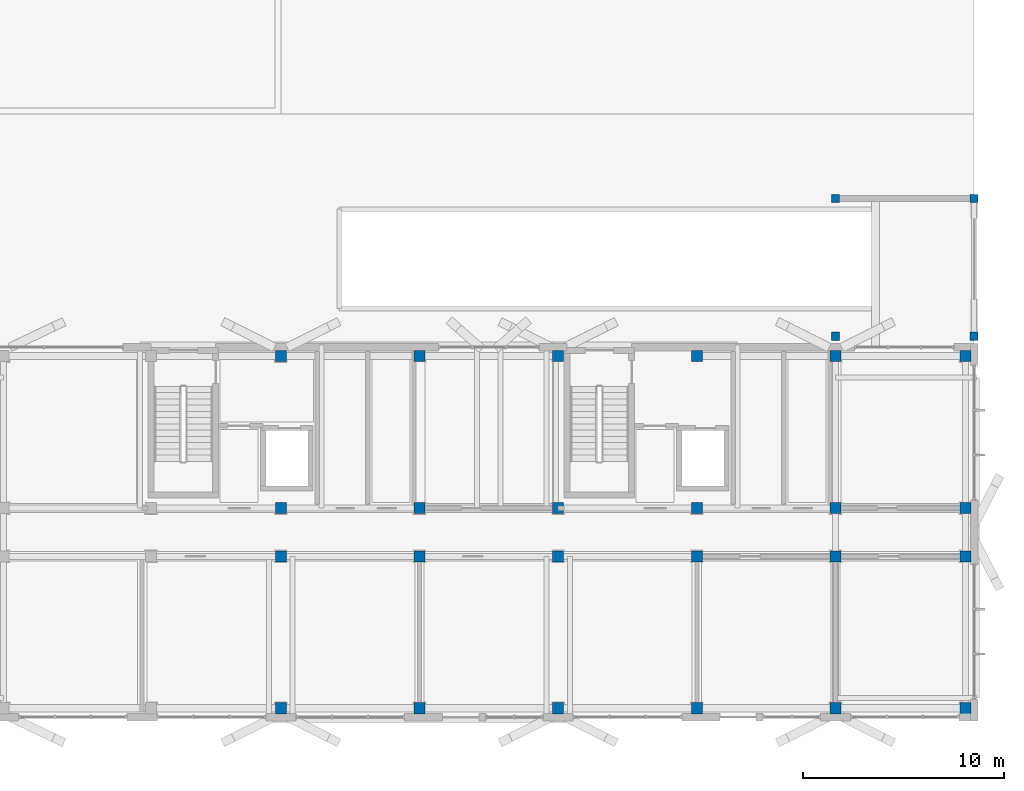
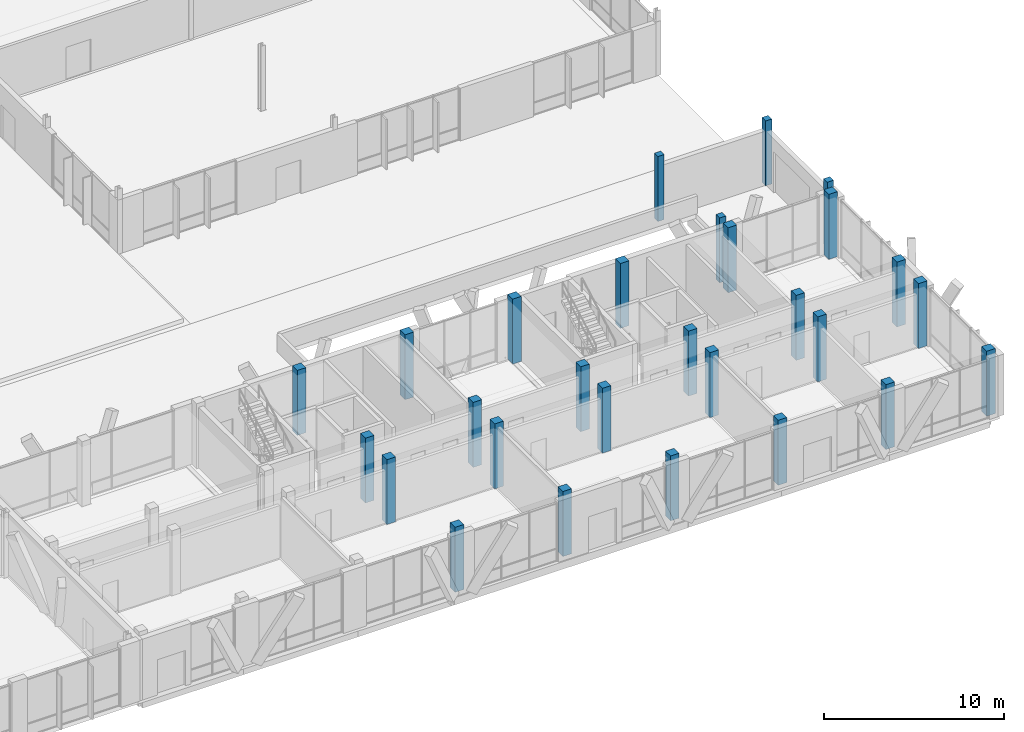
# One storey, part 13 of 233: 28 columns.
"""IFC4 building model written with IfcOpenShell, lengths in metres."""

import ifcopenshell
import ifcopenshell.guid

model = None  # the IFC model being written
_history = None  # IfcOwnerHistory: only IFC2X3 demands one
_inside = {}  # id of a spatial element -> (the spatial element, [elements in it])
_under = {}  # id of a project, library or spatial element -> (it, [spatial elements below it])
_declared = {}  # id of a project -> (the project, [libraries it declares])
_typed = {}  # id of a type object -> (the type object, [elements of that type])
_made_of = {}  # id of a material, layer set ... -> (it, [elements and type objects made of it])


def new_model(schema):
    """Start an empty IFC model of exactly this schema.

    Asked for "IFC4X3", IfcOpenShell would pick the latest addendum, in which some entities
    have other attributes; the version numbers below select the first issue.
    IFC2X3 requires an IfcOwnerHistory on every rooted entity: one is made here for all.
    """
    global model, _history
    if schema == "IFC4X3":
        model = ifcopenshell.file(schema_version=(4, 3, 0, 0))
    else:
        model = ifcopenshell.file(schema=schema)
    _inside.clear()
    _under.clear()
    _declared.clear()
    _typed.clear()
    _made_of.clear()
    _history = None
    if model.schema == "IFC2X3":
        org = make("IfcOrganization", Name="unknown")
        user = make(
            "IfcPersonAndOrganization",
            ThePerson=make("IfcPerson", FamilyName="unknown"),
            TheOrganization=org,
        )
        app = make(
            "IfcApplication",
            ApplicationDeveloper=org,
            Version="unknown",
            ApplicationFullName="unknown",
            ApplicationIdentifier="unknown",
        )
        _history = make(
            "IfcOwnerHistory",
            OwningUser=user,
            OwningApplication=app,
            ChangeAction="ADDED",
            CreationDate=0,
        )
    return model


def make(cls, **values):
    """One entity of the class cls with the attributes given. An attribute that is None is left unset."""
    return model.create_entity(
        cls, **{name: value for name, value in values.items() if value is not None}
    )


def rooted(cls, **values):
    """An entity with a GlobalId (a new one), such as an element, a storey or a relation."""
    return make(cls, GlobalId=ifcopenshell.guid.new(), OwnerHistory=_history, **values)


def si_unit(unit_type, name, prefix=None):
    """IfcSIUnit, for example si_unit("LENGTHUNIT", "METRE", prefix="MILLI")."""
    return make("IfcSIUnit", UnitType=unit_type, Prefix=prefix, Name=name)


def assignment(units):
    """IfcUnitAssignment: the units of a project."""
    return None if units is None else make("IfcUnitAssignment", Units=units)


def point(xyz):
    """IfcCartesianPoint."""
    return None if xyz is None else make("IfcCartesianPoint", Coordinates=xyz)


def direction(xyz):
    """IfcDirection."""
    return None if xyz is None else make("IfcDirection", DirectionRatios=xyz)


def frame(location, z_axis=None, x_axis=None):
    """IfcAxis2Placement3D, a coordinate frame: its origin and axes. An axis left out is left unset."""
    return make(
        "IfcAxis2Placement3D",
        Location=point(location),
        Axis=direction(z_axis),
        RefDirection=direction(x_axis),
    )


def frame_2d(location, x_axis=None):
    """IfcAxis2Placement2D, a coordinate frame in the plane: its origin and x axis."""
    return make(
        "IfcAxis2Placement2D", Location=point(location), RefDirection=direction(x_axis)
    )


def origin():
    """The frame at (0, 0, 0) with its axes left unset."""
    return frame((0.0, 0.0, 0.0))


def origin_2d():
    """The frame at (0, 0) in the plane with its x axis left unset."""
    return frame_2d((0.0, 0.0))


def place(relative_to, where):
    """IfcLocalPlacement: puts the frame where relative to a parent placement (None: the world)."""
    return make(
        "IfcLocalPlacement", PlacementRelTo=relative_to, RelativePlacement=where
    )


def context(
    kind, dimensions, precision=None, world=None, true_north=None, identifier=None
):
    """IfcGeometricRepresentationContext, for example the 3D "Model" context."""
    return make(
        "IfcGeometricRepresentationContext",
        ContextIdentifier=identifier,
        ContextType=kind,
        CoordinateSpaceDimension=dimensions,
        Precision=precision,
        WorldCoordinateSystem=world,
        TrueNorth=true_north,
    )


def subcontext(parent, identifier, kind, view, scale=None):
    """IfcGeometricRepresentationSubContext, for example "Body" below "Model"."""
    return make(
        "IfcGeometricRepresentationSubContext",
        ContextIdentifier=identifier,
        ContextType=kind,
        ParentContext=parent,
        TargetScale=scale,
        TargetView=view,
    )


def project(units=None, contexts=None):
    """IfcProject with its units and contexts."""
    return rooted(
        "IfcProject",
        Name="project",
        RepresentationContexts=contexts,
        UnitsInContext=assignment(units),
    )


def spatial(cls, under=None, at=None, **own):
    """A site, building, storey or space (cls), placed at a placement, below another one or the project."""
    s = rooted(cls, ObjectPlacement=at, **own)
    if under is not None:
        _under.setdefault(under.id(), (under, []))[1].append(s)
    return s


def profile(cls, at=None, kind="AREA", **sizes):
    """A parametric profile (cls). Its sizes go by their IFC names, for example OverallWidth=200.0."""
    return make(cls, ProfileType=kind, Position=at, **sizes)


def rectangle(**sizes):
    """IfcRectangleProfileDef."""
    return profile("IfcRectangleProfileDef", **sizes)


def extrude(swept, where, along, depth):
    """IfcExtrudedAreaSolid: the profile swept, set in the frame where, extruded along a direction by depth."""
    return make(
        "IfcExtrudedAreaSolid",
        SweptArea=swept,
        Position=where,
        ExtrudedDirection=direction(along),
        Depth=depth,
    )


def shape(context_of_items, identifier, shape_type, items):
    """IfcShapeRepresentation: the items that make up one representation, for example the "Body"."""
    return make(
        "IfcShapeRepresentation",
        ContextOfItems=context_of_items,
        RepresentationIdentifier=identifier,
        RepresentationType=shape_type,
        Items=items,
    )


def material(Name=None, Category=None):
    """IfcMaterial."""
    return make("IfcMaterial", Name=Name, Category=Category)


def material_profile(
    of_material, cross_section, Name=None, Category=None, Priority=None
):
    """IfcMaterialProfile: a cross section and its material."""
    return make(
        "IfcMaterialProfile",
        Name=Name,
        Material=of_material,
        Profile=cross_section,
        Priority=Priority,
        Category=Category,
    )


def profile_set(profiles, Name=None, composite=None):
    """IfcMaterialProfileSet."""
    return make(
        "IfcMaterialProfileSet",
        Name=Name,
        MaterialProfiles=profiles,
        CompositeProfile=composite,
    )


def made_of(thing, what):
    """Note that an element or type object is made of a material, layer set ...; save() writes the relation."""
    if what is not None:
        _made_of.setdefault(what.id(), (what, []))[1].append(thing)
    return thing


def type_object(cls, material=None, **own):
    """A type object (cls), such as IfcWallType, which elements share."""
    return made_of(rooted(cls, **own), material)


def element(
    cls,
    number,
    at=None,
    inside=None,
    cuts=None,
    type_object=None,
    material=None,
    context=None,
    identifier="Body",
    shape_type=None,
    held_by="IfcProductDefinitionShape",
    body=None,
    shapes=None,
    **own,
):
    """One element of the class cls, such as IfcWall. Its Tag is "e" and its number.

    at: its placement. inside: the storey or other place that contains it. cuts: it is an
    opening in that element (IfcRelVoidsElement). A single representation is given by context,
    identifier, shape_type and body (its items); several are given by shapes. held_by: the class
    of the entity that holds the representations. save() writes the other relations.
    """
    e = rooted(cls, Tag="e%d" % number, ObjectPlacement=at, **own)
    if body is not None:
        shapes = [shape(context, identifier, shape_type, body)]
    if shapes is not None:
        e.Representation = make(held_by, Representations=shapes)
    if inside is not None:
        _inside.setdefault(inside.id(), (inside, []))[1].append(e)
    if cuts is not None:
        rooted(
            "IfcRelVoidsElement", RelatingBuildingElement=cuts, RelatedOpeningElement=e
        )
    if type_object is not None:
        _typed.setdefault(type_object.id(), (type_object, []))[1].append(e)
    return made_of(e, material)


def aggregate(whole, parts):
    """IfcRelAggregates: a whole, such as a stair, and the parts it consists of."""
    return rooted("IfcRelAggregates", RelatingObject=whole, RelatedObjects=parts)


def save(model, path):
    """Write the relations noted so far, then the file.

    IfcRelAggregates (storeys below a building ...), IfcRelContainedInSpatialStructure (elements
    in a storey), IfcRelDefinesByType, IfcRelAssociatesMaterial and IfcRelDeclares: one each for
    every whole, place, type object, material and project.
    """
    for whole, parts in _under.values():
        aggregate(whole, parts)
    for where, things in _inside.values():
        rooted(
            "IfcRelContainedInSpatialStructure",
            RelatedElements=things,
            RelatingStructure=where,
        )
    for kind, things in _typed.values():
        rooted("IfcRelDefinesByType", RelatedObjects=things, RelatingType=kind)
    for what, things in _made_of.values():
        rooted("IfcRelAssociatesMaterial", RelatedObjects=things, RelatingMaterial=what)
    for by, libraries in _declared.values():
        rooted("IfcRelDeclares", RelatingContext=by, RelatedDefinitions=libraries)
    model.write(path)


model = new_model("IFC4")

# Units and contexts
model_context = context("Model", 3, precision=1e-05, world=origin(), true_north=direction((0.0, 1.0)))
body_context = subcontext(model_context, "Body", "Model", "MODEL_VIEW")
ifc_project = project(units=[si_unit("LENGTHUNIT", "METRE"), si_unit("AREAUNIT", "SQUARE_METRE"), si_unit("VOLUMEUNIT", "CUBIC_METRE"), si_unit("PLANEANGLEUNIT", "RADIAN"), si_unit("MASSUNIT", "GRAM", prefix="KILO")], contexts=[model_context])

# Site, building, storey
site_placement = place(None, origin())
site = spatial("IfcSite", under=ifc_project, at=site_placement, CompositionType="ELEMENT")
building_placement = place(site_placement, origin())
building = spatial("IfcBuilding", under=site, at=building_placement, Name="Zavelmont Quarter", CompositionType="ELEMENT")
storey_placement = place(building_placement, origin())
storey = spatial("IfcBuildingStorey", under=building, at=storey_placement, Name="L00", CompositionType="ELEMENT", Elevation=0.0)

# Columns
ifc_material_1 = material(Name="Concrete C40/50", Category="concrete")
ifc_material_profile_1 = material_profile(ifc_material_1, rectangle(XDim=0.550048828125, YDim=0.550048828125, at=origin_2d()), Name="RC550X550")
ifc_profile_set_1 = profile_set([ifc_material_profile_1], Name="Concrete C40/50")
column_type_1 = type_object("IfcColumnType", Name="CL02", PredefinedType="COLUMN", material=ifc_profile_set_1)
for number, where, z_axis, x_axis, name in (
    (1, (133.5, 0.43994140625, 0.0), (0.0, 0.0, 1.0), (1.0, 0.0, 0.0), "L00 column CL02 at 20/A"),
    (2, (133.5, 8.0, 0.0), (0.0, 0.0, 1.0), (1.0, 0.0, 0.0), "L00 column CL02 at 20/B"),
    (3, (133.5, 10.39990234375, 0.0), (0.0, 0.0, 1.0), (1.0, 0.0, 0.0), "L00 column CL02 at 20/C"),
    (4, (133.5, 17.9599609375, 0.0), (0.0, 0.0, 1.0), (1.0, 0.0, 0.0), "L00 column CL02 at 20/D"),
    (5, (140.39990234375, 0.43994140625, 0.0), (0.0, 0.0, 1.0), (1.0, 0.0, 0.0), "L00 column CL02 at 21/A"),
    (6, (140.39990234375, 8.0, 0.0), (0.0, 0.0, 1.0), (1.0, 0.0, 0.0), "L00 column CL02 at 21/B"),
    (7, (140.39990234375, 10.39990234375, 0.0), (0.0, 0.0, 1.0), (1.0, 0.0, 0.0), "L00 column CL02 at 21/C"),
    (8, (140.39990234375, 17.9599609375, 0.0), (0.0, 0.0, 1.0), (1.0, 0.0, 0.0), "L00 column CL02 at 21/D"),
    (9, (147.300048828125, 0.43994140625, 0.0), (0.0, 0.0, 1.0), (1.0, 0.0, 0.0), "L00 column CL02 at 22/A"),
    (10, (147.300048828125, 8.0, 0.0), (0.0, 0.0, 1.0), (1.0, 0.0, 0.0), "L00 column CL02 at 22/B"),
    (11, (147.300048828125, 10.39990234375, 0.0), (0.0, 0.0, 1.0), (1.0, 0.0, 0.0), "L00 column CL02 at 22/C"),
    (12, (147.300048828125, 17.9599609375, 0.0), (0.0, 0.0, 1.0), (1.0, 0.0, 0.0), "L00 column CL02 at 22/D"),
    (13, (154.199951171875, 0.43994140625, 0.0), (0.0, 0.0, 1.0), (1.0, 0.0, 0.0), "L00 column CL02 at 23/A"),
    (14, (154.199951171875, 8.0, 0.0), (0.0, 0.0, 1.0), (1.0, 0.0, 0.0), "L00 column CL02 at 23/B"),
    (15, (154.199951171875, 10.39990234375, 0.0), (0.0, 0.0, 1.0), (1.0, 0.0, 0.0), "L00 column CL02 at 23/C"),
    (16, (154.199951171875, 17.9599609375, 0.0), (0.0, 0.0, 1.0), (1.0, 0.0, 0.0), "L00 column CL02 at 23/D"),
    (17, (161.10009765625, 0.43994140625, 0.0), (0.0, 0.0, 1.0), (1.0, 0.0, 0.0), "L00 column CL02 at 24/A"),
    (18, (161.10009765625, 8.0, 0.0), (0.0, 0.0, 1.0), (1.0, 0.0, 0.0), "L00 column CL02 at 24/B"),
    (19, (161.10009765625, 10.39990234375, 0.0), (0.0, 0.0, 1.0), (1.0, 0.0, 0.0), "L00 column CL02 at 24/C"),
    (20, (161.10009765625, 17.9599609375, 0.0), (0.0, 0.0, 1.0), (1.0, 0.0, 0.0), "L00 column CL02 at 24/D"),
    (21, (167.56005859375, 0.43994140625, 0.0), (0.0, 0.0, 1.0), (1.0, 0.0, 0.0), "L00 column CL02 at 25/A"),
    (22, (167.56005859375, 8.0, 0.0), (0.0, 0.0, 1.0), (1.0, 0.0, 0.0), "L00 column CL02 at 25/B"),
    (23, (167.56005859375, 10.39990234375, 0.0), (0.0, 0.0, 1.0), (1.0, 0.0, 0.0), "L00 column CL02 at 25/C"),
    (24, (167.56005859375, 17.9599609375, 0.0), (0.0, 0.0, 1.0), (1.0, 0.0, 0.0), "L00 column CL02 at 25/D"),
):
    element("IfcColumn", number, at=place(storey_placement, frame(where, z_axis=z_axis, x_axis=x_axis)), inside=storey, type_object=column_type_1, Name=name, PredefinedType="COLUMN", context=body_context, shape_type="SweptSolid", body=[
        extrude(rectangle(XDim=0.550048828125, YDim=0.550048828125, at=origin_2d()), origin(), (0.0, 0.0, 1.0), 4.39990234375),
    ])
ifc_material_2 = material(Name="Concrete C35/45", Category="concrete")
ifc_material_profile_2 = material_profile(ifc_material_2, rectangle(XDim=0.39990234375, YDim=0.39990234375, at=origin_2d()), Name="RC400X400")
ifc_profile_set_2 = profile_set([ifc_material_profile_2], Name="Concrete C35/45")
column_type_2 = type_object("IfcColumnType", Name="CL05", PredefinedType="COLUMN", material=ifc_profile_set_2)
for number, where, z_axis, x_axis, name in (
    (25, (161.10009765625, 25.800048828125, 0.0), (0.0, 0.0, 1.0), (1.0, 0.0, 0.0), "L00 column CL05 at 24/E"),
    (26, (168.0, 25.800048828125, 0.0), (0.0, 0.0, 1.0), (1.0, 0.0, 0.0), "L00 column CL05 at 25/E"),
    (27, (161.10009765625, 18.949951171875, 0.0), (0.0, 0.0, 1.0), (1.0, 0.0, 0.0), "L00 column CL05 at 24/D"),
    (28, (168.0, 18.949951171875, 0.0), (0.0, 0.0, 1.0), (1.0, 0.0, 0.0), "L00 column CL05 at 25/D"),
):
    element("IfcColumn", number, at=place(storey_placement, frame(where, z_axis=z_axis, x_axis=x_axis)), inside=storey, type_object=column_type_2, Name=name, PredefinedType="COLUMN", context=body_context, shape_type="SweptSolid", body=[
        extrude(rectangle(XDim=0.39990234375, YDim=0.39990234375, at=origin_2d()), origin(), (0.0, 0.0, 1.0), 4.39990234375),
    ])

save(model, "model.ifc")
